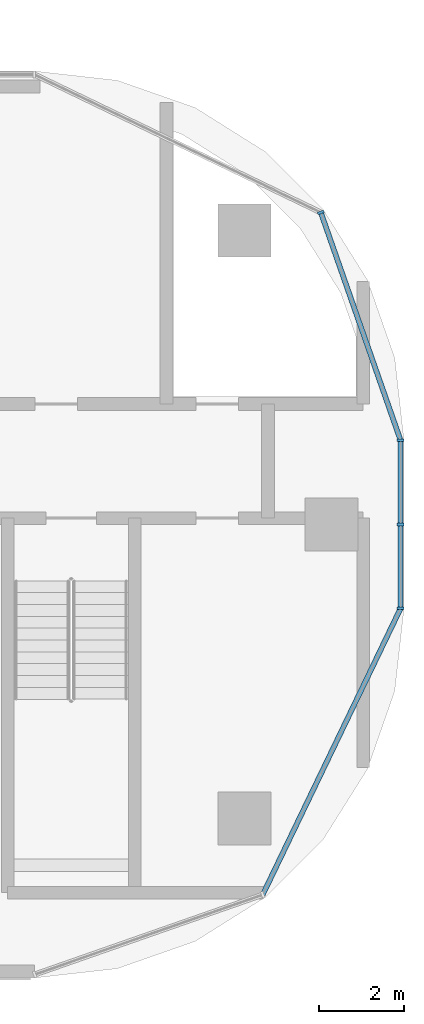
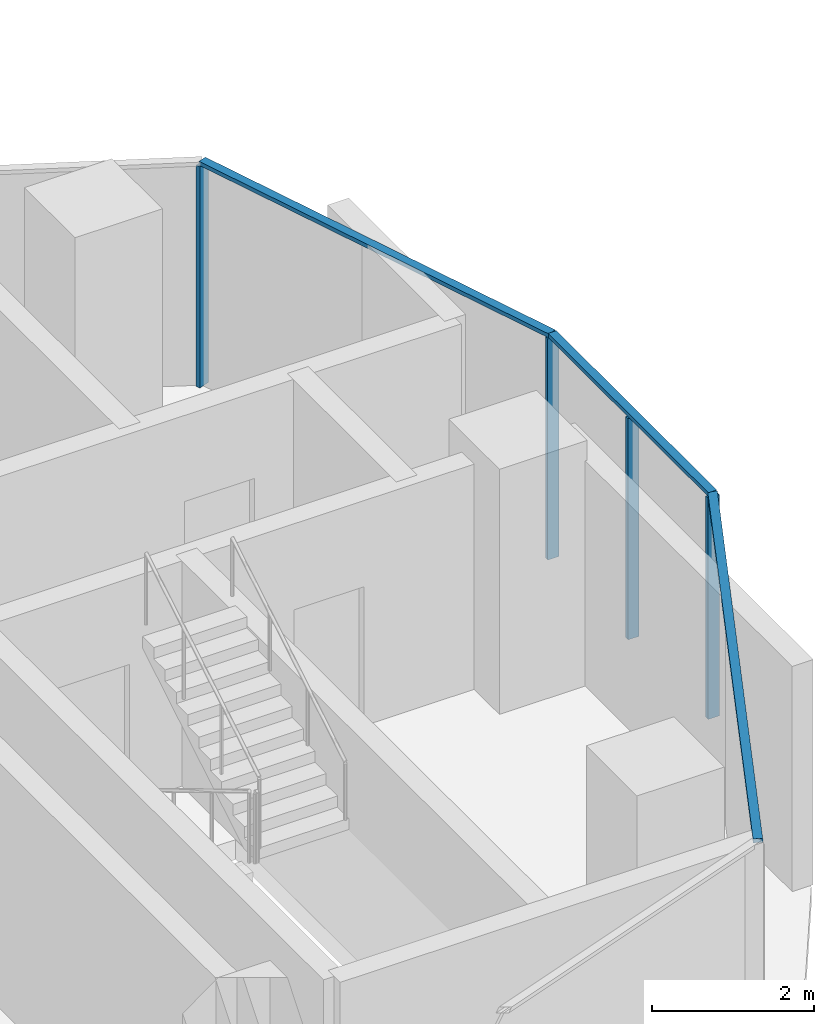
# One storey, part 7 of 23: 7 members, 3 elements without a shape of their own.
"""IFC4 building model written with IfcOpenShell, lengths in metres."""

import ifcopenshell
import ifcopenshell.guid

model = None  # the IFC model being written
_history = None  # IfcOwnerHistory: only IFC2X3 demands one
_inside = {}  # id of a spatial element -> (the spatial element, [elements in it])
_under = {}  # id of a project, library or spatial element -> (it, [spatial elements below it])
_declared = {}  # id of a project -> (the project, [libraries it declares])
_typed = {}  # id of a type object -> (the type object, [elements of that type])
_made_of = {}  # id of a material, layer set ... -> (it, [elements and type objects made of it])


def new_model(schema):
    """Start an empty IFC model of exactly this schema.

    Asked for "IFC4X3", IfcOpenShell would pick the latest addendum, in which some entities
    have other attributes; the version numbers below select the first issue.
    IFC2X3 requires an IfcOwnerHistory on every rooted entity: one is made here for all.
    """
    global model, _history
    if schema == "IFC4X3":
        model = ifcopenshell.file(schema_version=(4, 3, 0, 0))
    else:
        model = ifcopenshell.file(schema=schema)
    _inside.clear()
    _under.clear()
    _declared.clear()
    _typed.clear()
    _made_of.clear()
    _history = None
    if model.schema == "IFC2X3":
        org = make("IfcOrganization", Name="unknown")
        user = make(
            "IfcPersonAndOrganization",
            ThePerson=make("IfcPerson", FamilyName="unknown"),
            TheOrganization=org,
        )
        app = make(
            "IfcApplication",
            ApplicationDeveloper=org,
            Version="unknown",
            ApplicationFullName="unknown",
            ApplicationIdentifier="unknown",
        )
        _history = make(
            "IfcOwnerHistory",
            OwningUser=user,
            OwningApplication=app,
            ChangeAction="ADDED",
            CreationDate=0,
        )
    return model


def make(cls, **values):
    """One entity of the class cls with the attributes given. An attribute that is None is left unset."""
    return model.create_entity(
        cls, **{name: value for name, value in values.items() if value is not None}
    )


def rooted(cls, **values):
    """An entity with a GlobalId (a new one), such as an element, a storey or a relation."""
    return make(cls, GlobalId=ifcopenshell.guid.new(), OwnerHistory=_history, **values)


def si_unit(unit_type, name, prefix=None):
    """IfcSIUnit, for example si_unit("LENGTHUNIT", "METRE", prefix="MILLI")."""
    return make("IfcSIUnit", UnitType=unit_type, Prefix=prefix, Name=name)


def assignment(units):
    """IfcUnitAssignment: the units of a project."""
    return None if units is None else make("IfcUnitAssignment", Units=units)


def point(xyz):
    """IfcCartesianPoint."""
    return None if xyz is None else make("IfcCartesianPoint", Coordinates=xyz)


def direction(xyz):
    """IfcDirection."""
    return None if xyz is None else make("IfcDirection", DirectionRatios=xyz)


def frame(location, z_axis=None, x_axis=None):
    """IfcAxis2Placement3D, a coordinate frame: its origin and axes. An axis left out is left unset."""
    return make(
        "IfcAxis2Placement3D",
        Location=point(location),
        Axis=direction(z_axis),
        RefDirection=direction(x_axis),
    )


def frame_2d(location, x_axis=None):
    """IfcAxis2Placement2D, a coordinate frame in the plane: its origin and x axis."""
    return make(
        "IfcAxis2Placement2D", Location=point(location), RefDirection=direction(x_axis)
    )


def origin():
    """The frame at (0, 0, 0) with its axes left unset."""
    return frame((0.0, 0.0, 0.0))


def origin_2d():
    """The frame at (0, 0) in the plane with its x axis left unset."""
    return frame_2d((0.0, 0.0))


def place(relative_to, where):
    """IfcLocalPlacement: puts the frame where relative to a parent placement (None: the world)."""
    return make(
        "IfcLocalPlacement", PlacementRelTo=relative_to, RelativePlacement=where
    )


def context(
    kind, dimensions, precision=None, world=None, true_north=None, identifier=None
):
    """IfcGeometricRepresentationContext, for example the 3D "Model" context."""
    return make(
        "IfcGeometricRepresentationContext",
        ContextIdentifier=identifier,
        ContextType=kind,
        CoordinateSpaceDimension=dimensions,
        Precision=precision,
        WorldCoordinateSystem=world,
        TrueNorth=true_north,
    )


def subcontext(parent, identifier, kind, view, scale=None):
    """IfcGeometricRepresentationSubContext, for example "Body" below "Model"."""
    return make(
        "IfcGeometricRepresentationSubContext",
        ContextIdentifier=identifier,
        ContextType=kind,
        ParentContext=parent,
        TargetScale=scale,
        TargetView=view,
    )


def project(units=None, contexts=None):
    """IfcProject with its units and contexts."""
    return rooted(
        "IfcProject",
        Name="project",
        RepresentationContexts=contexts,
        UnitsInContext=assignment(units),
    )


def spatial(cls, under=None, at=None, **own):
    """A site, building, storey or space (cls), placed at a placement, below another one or the project."""
    s = rooted(cls, ObjectPlacement=at, **own)
    if under is not None:
        _under.setdefault(under.id(), (under, []))[1].append(s)
    return s


def profile(cls, at=None, kind="AREA", **sizes):
    """A parametric profile (cls). Its sizes go by their IFC names, for example OverallWidth=200.0."""
    return make(cls, ProfileType=kind, Position=at, **sizes)


def rectangle(**sizes):
    """IfcRectangleProfileDef."""
    return profile("IfcRectangleProfileDef", **sizes)


def extrude(swept, where, along, depth):
    """IfcExtrudedAreaSolid: the profile swept, set in the frame where, extruded along a direction by depth."""
    return make(
        "IfcExtrudedAreaSolid",
        SweptArea=swept,
        Position=where,
        ExtrudedDirection=direction(along),
        Depth=depth,
    )


def shape(context_of_items, identifier, shape_type, items):
    """IfcShapeRepresentation: the items that make up one representation, for example the "Body"."""
    return make(
        "IfcShapeRepresentation",
        ContextOfItems=context_of_items,
        RepresentationIdentifier=identifier,
        RepresentationType=shape_type,
        Items=items,
    )


def material(Name=None, Category=None):
    """IfcMaterial."""
    return make("IfcMaterial", Name=Name, Category=Category)


def material_profile(
    of_material, cross_section, Name=None, Category=None, Priority=None
):
    """IfcMaterialProfile: a cross section and its material."""
    return make(
        "IfcMaterialProfile",
        Name=Name,
        Material=of_material,
        Profile=cross_section,
        Priority=Priority,
        Category=Category,
    )


def profile_set(profiles, Name=None, composite=None):
    """IfcMaterialProfileSet."""
    return make(
        "IfcMaterialProfileSet",
        Name=Name,
        MaterialProfiles=profiles,
        CompositeProfile=composite,
    )


def made_of(thing, what):
    """Note that an element or type object is made of a material, layer set ...; save() writes the relation."""
    if what is not None:
        _made_of.setdefault(what.id(), (what, []))[1].append(thing)
    return thing


def type_object(cls, material=None, **own):
    """A type object (cls), such as IfcWallType, which elements share."""
    return made_of(rooted(cls, **own), material)


def element(
    cls,
    number,
    at=None,
    inside=None,
    cuts=None,
    type_object=None,
    material=None,
    context=None,
    identifier="Body",
    shape_type=None,
    held_by="IfcProductDefinitionShape",
    body=None,
    shapes=None,
    **own,
):
    """One element of the class cls, such as IfcWall. Its Tag is "e" and its number.

    at: its placement. inside: the storey or other place that contains it. cuts: it is an
    opening in that element (IfcRelVoidsElement). A single representation is given by context,
    identifier, shape_type and body (its items); several are given by shapes. held_by: the class
    of the entity that holds the representations. save() writes the other relations.
    """
    e = rooted(cls, Tag="e%d" % number, ObjectPlacement=at, **own)
    if body is not None:
        shapes = [shape(context, identifier, shape_type, body)]
    if shapes is not None:
        e.Representation = make(held_by, Representations=shapes)
    if inside is not None:
        _inside.setdefault(inside.id(), (inside, []))[1].append(e)
    if cuts is not None:
        rooted(
            "IfcRelVoidsElement", RelatingBuildingElement=cuts, RelatedOpeningElement=e
        )
    if type_object is not None:
        _typed.setdefault(type_object.id(), (type_object, []))[1].append(e)
    return made_of(e, material)


def aggregate(whole, parts):
    """IfcRelAggregates: a whole, such as a stair, and the parts it consists of."""
    return rooted("IfcRelAggregates", RelatingObject=whole, RelatedObjects=parts)


def save(model, path):
    """Write the relations noted so far, then the file.

    IfcRelAggregates (storeys below a building ...), IfcRelContainedInSpatialStructure (elements
    in a storey), IfcRelDefinesByType, IfcRelAssociatesMaterial and IfcRelDeclares: one each for
    every whole, place, type object, material and project.
    """
    for whole, parts in _under.values():
        aggregate(whole, parts)
    for where, things in _inside.values():
        rooted(
            "IfcRelContainedInSpatialStructure",
            RelatedElements=things,
            RelatingStructure=where,
        )
    for kind, things in _typed.values():
        rooted("IfcRelDefinesByType", RelatedObjects=things, RelatingType=kind)
    for what, things in _made_of.values():
        rooted("IfcRelAssociatesMaterial", RelatedObjects=things, RelatingMaterial=what)
    for by, libraries in _declared.values():
        rooted("IfcRelDeclares", RelatingContext=by, RelatedDefinitions=libraries)
    model.write(path)


model = new_model("IFC4")

# Units and contexts
model_context = context("Model", 3, precision=1e-05, world=origin(), true_north=direction((0.0, 1.0)))
body_context = subcontext(model_context, "Body", "Model", "MODEL_VIEW")
ifc_project = project(units=[si_unit("LENGTHUNIT", "METRE"), si_unit("AREAUNIT", "SQUARE_METRE"), si_unit("VOLUMEUNIT", "CUBIC_METRE"), si_unit("PLANEANGLEUNIT", "RADIAN"), si_unit("MASSUNIT", "GRAM", prefix="KILO")], contexts=[model_context])

# Site, building, storey
site_placement = place(None, origin())
site = spatial("IfcSite", under=ifc_project, at=site_placement, CompositionType="ELEMENT")
building_placement = place(site_placement, origin())
building = spatial("IfcBuilding", under=site, at=building_placement, Name="Ogive Portal Towers", CompositionType="ELEMENT")
storey_placement = place(building_placement, frame((0.0, 0.0, 127.800048828125)))
storey = spatial("IfcBuildingStorey", under=building, at=storey_placement, Name="L31", CompositionType="ELEMENT", Elevation=127.800048828125)

# Curtain wall, members
ifc_material_1 = material(Name="Glass, clear low-iron insulated glazing", Category="glass")
curtain_wall_type = type_object("IfcCurtainWallType", Name="CW FRONT RIBBON 4500", PredefinedType="NOTDEFINED", material=ifc_material_1)
curtain_wall_1_placement = place(storey_placement, origin())
curtain_wall_1 = element("IfcCurtainWall", 1, at=curtain_wall_1_placement, inside=storey, type_object=curtain_wall_type, Name="A:L31:f10:cw0", PredefinedType="NOTDEFINED")
ifc_material_2 = material(Name="Aluminium 6063 anodised", Category="aluminium")
ifc_material_profile_1 = material_profile(ifc_material_2, rectangle(XDim=0.159912109375, YDim=0.06005859375, at=origin_2d()), Name="AL 60x160")
ifc_profile_set_1 = profile_set([ifc_material_profile_1], Name="Aluminium 6063 anodised")
member_type_1 = type_object("IfcMemberType", Name="CW MULLION 60x160", PredefinedType="MULLION", material=ifc_profile_set_1)
member_1_placement = place(storey_placement, frame((96.135009765625, 28.518310546875, 0.0), z_axis=(0.0, 0.0, 1.0), x_axis=(-1.0, 0.0, 0.0)))
member_1 = element("IfcMember", 2, at=member_1_placement, type_object=member_type_1, Name="mullion", PredefinedType="MULLION", context=body_context, shape_type="SweptSolid", body=[
    extrude(rectangle(XDim=0.159912109375, YDim=0.06005859375, at=origin_2d()), origin(), (0.0, 0.0, 1.0), 3.33984375),
])
member_2_placement = place(storey_placement, frame((96.135009765625, 30.5, 0.0), z_axis=(0.0, 0.0, 1.0), x_axis=(-1.0, 0.0, 0.0)))
member_2 = element("IfcMember", 3, at=member_2_placement, type_object=member_type_1, Name="mullion", PredefinedType="MULLION", context=body_context, shape_type="SweptSolid", body=[
    extrude(rectangle(XDim=0.159912109375, YDim=0.06005859375, at=origin_2d()), origin(), (0.0, 0.0, 1.0), 3.33984375),
])
member_3_placement = place(storey_placement, frame((96.135009765625, 32.486328125, 0.0), z_axis=(0.0, 0.0, 1.0), x_axis=(-1.0, 0.0, 0.0)))
member_3 = element("IfcMember", 4, at=member_3_placement, type_object=member_type_1, Name="mullion", PredefinedType="MULLION", context=body_context, shape_type="SweptSolid", body=[
    extrude(rectangle(XDim=0.159912109375, YDim=0.06005859375, at=origin_2d()), origin(), (0.0, 0.0, 1.0), 3.33984375),
])

# Curtain wall, member
curtain_wall_2_placement = place(storey_placement, origin())
curtain_wall_2 = element("IfcCurtainWall", 5, at=curtain_wall_2_placement, inside=storey, type_object=curtain_wall_type, Name="A:L31:f11:cwa", PredefinedType="NOTDEFINED")
member_4_placement = place(storey_placement, frame((94.2490234375, 37.8759765625, 0.0), z_axis=(0.0, 0.0, 1.0), x_axis=(-0.943883330307, -0.33027906196, 0.0)))
member_4 = element("IfcMember", 6, at=member_4_placement, type_object=member_type_1, Name="mullion", PredefinedType="MULLION", context=body_context, shape_type="SweptSolid", body=[
    extrude(rectangle(XDim=0.159912109375, YDim=0.06005859375, at=origin_2d()), origin(), (0.0, 0.0, 1.0), 3.33984375),
])

# Member
ifc_material_profile_2 = material_profile(ifc_material_2, rectangle(XDim=0.1201171875, YDim=0.06005859375, at=origin_2d()), Name="AL 120x60")
ifc_profile_set_2 = profile_set([ifc_material_profile_2], Name="Aluminium 6063 anodised")
member_type_2 = type_object("IfcMemberType", Name="CW TRANSOM 60x120", PredefinedType="USERDEFINED", material=ifc_profile_set_2)
member_5_placement = place(storey_placement, frame((96.135009765625, 28.518310546875, 3.369873046875), z_axis=(0.0, 1.0, 0.0), x_axis=(-1.0, 0.0, 0.0)))
member_5 = element("IfcMember", 7, at=member_5_placement, type_object=member_type_2, Name="transom", ObjectType="TRANSOM", PredefinedType="USERDEFINED", context=body_context, shape_type="SweptSolid", body=[
    extrude(rectangle(XDim=0.1201171875, YDim=0.06005859375, at=origin_2d()), origin(), (0.0, 0.0, 1.0), 3.968017578125),
])

aggregate(curtain_wall_1, [member_5, member_1, member_2, member_3])

# Curtain wall, member
curtain_wall_3_placement = place(storey_placement, origin())
curtain_wall_3 = element("IfcCurtainWall", 8, at=curtain_wall_3_placement, inside=storey, type_object=curtain_wall_type, Name="A:L31:f08:cwa", PredefinedType="NOTDEFINED")
member_6_placement = place(storey_placement, frame((92.8759765625, 21.7509765625, 3.369873046875), z_axis=(0.433889890445, 0.900965905554, 0.0), x_axis=(-0.900965905554, 0.433889890445, 0.0)))
member_6 = element("IfcMember", 9, at=member_6_placement, type_object=member_type_2, Name="transom", ObjectType="TRANSOM", PredefinedType="USERDEFINED", context=body_context, shape_type="SweptSolid", body=[
    extrude(rectangle(XDim=0.1201171875, YDim=0.06005859375, at=origin_2d()), origin(), (0.0, 0.0, 1.0), 7.51123046875),
])
aggregate(curtain_wall_3, [member_6])

# Member
member_7_placement = place(storey_placement, frame((96.135009765625, 32.486328125, 3.369873046875), z_axis=(-0.330289480189, 0.943879684746, 0.0), x_axis=(-0.943879684746, -0.330289480189, 0.0)))
member_7 = element("IfcMember", 10, at=member_7_placement, type_object=member_type_2, Name="transom", ObjectType="TRANSOM", PredefinedType="USERDEFINED", context=body_context, shape_type="SweptSolid", body=[
    extrude(rectangle(XDim=0.1201171875, YDim=0.06005859375, at=origin_2d()), origin(), (0.0, 0.0, 1.0), 5.710205078125),
])

aggregate(curtain_wall_2, [member_7, member_4])

save(model, "model.ifc")
